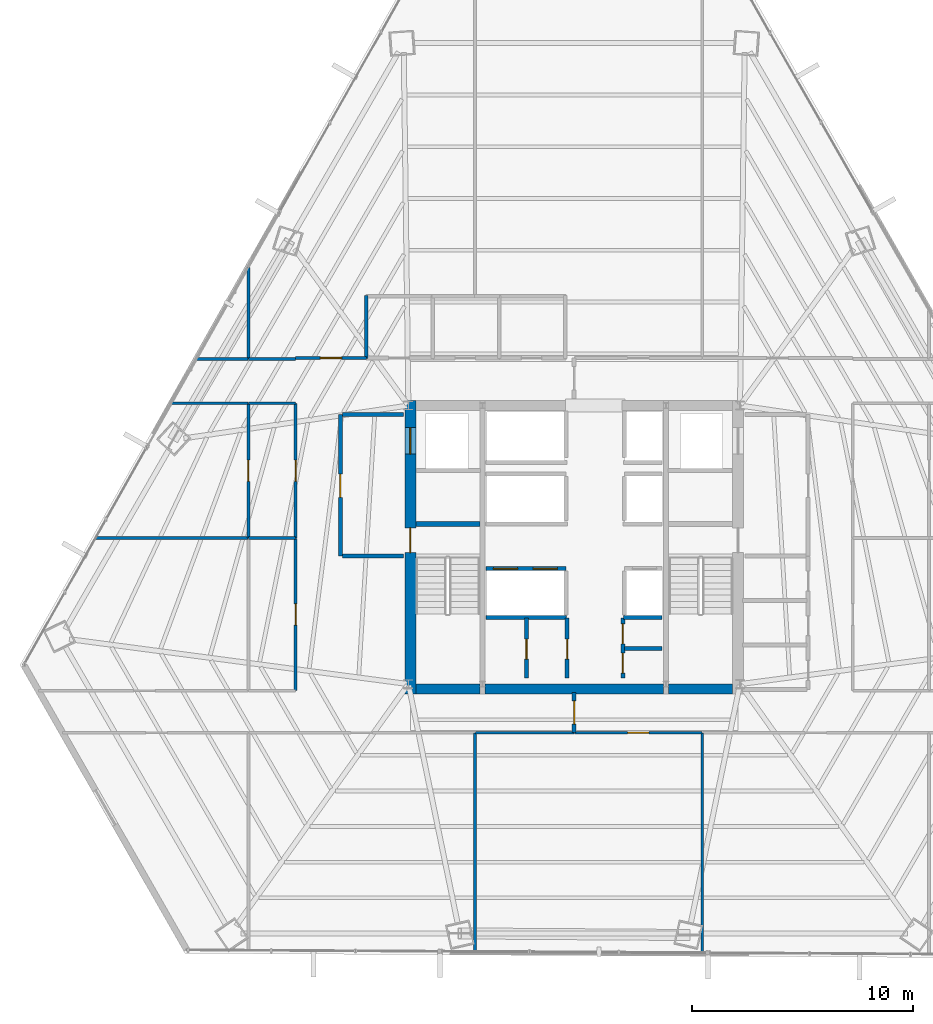
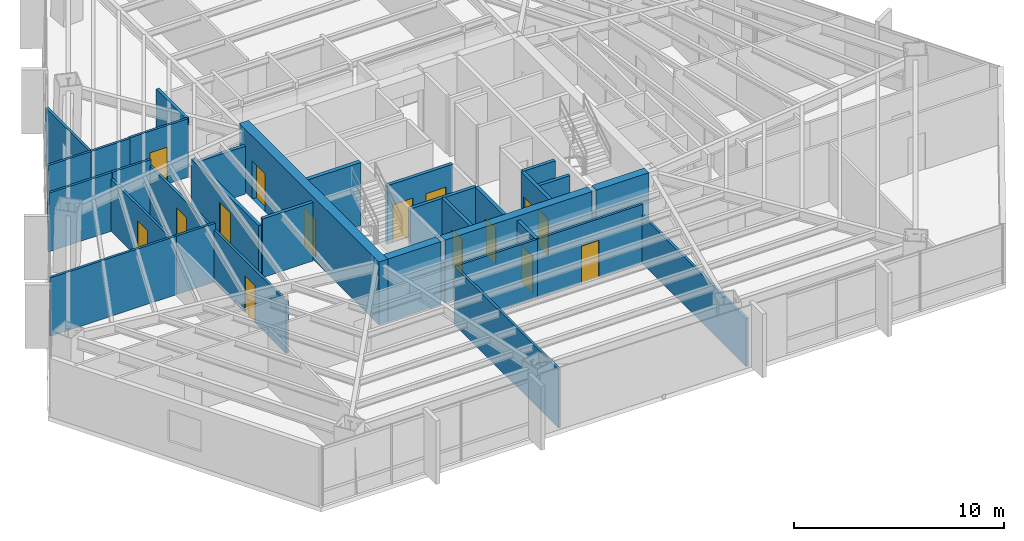
# One storey, part 30 of 35: 32 walls, 15 doors, 15 openings.
"""IFC4 building model written with IfcOpenShell, lengths in metres."""

from ifc_helpers import new_model, si_unit, direction, frame, frame_2d, origin, place, context, subcontext, project, spatial, rectangle, extrude, material, layer, layer_set, type_object, element, fill, save


model = new_model("IFC4")

# Units and contexts
model_context = context("Model", 3, precision=1e-05, world=origin(), true_north=direction((0.0, 1.0)))
body_context = subcontext(model_context, "Body", "Model", "MODEL_VIEW")
ifc_project = project(units=[si_unit("LENGTHUNIT", "METRE"), si_unit("AREAUNIT", "SQUARE_METRE"), si_unit("VOLUMEUNIT", "CUBIC_METRE"), si_unit("PLANEANGLEUNIT", "RADIAN"), si_unit("MASSUNIT", "GRAM", prefix="KILO")], contexts=[model_context])

# Site, building, storey
site_placement = place(None, origin())
site = spatial("IfcSite", under=ifc_project, at=site_placement, CompositionType="ELEMENT")
building_placement = place(site_placement, origin())
building = spatial("IfcBuilding", under=site, at=building_placement, Name="Caelisora Broadcast Tower", CompositionType="ELEMENT")
storey_placement = place(building_placement, frame((0.0, 0.0, 90.800048828125)))
storey = spatial("IfcBuildingStorey", under=building, at=storey_placement, Name="L23", CompositionType="ELEMENT", Elevation=90.800048828125)

# Wall, openings, doors
ifc_material_1 = material(Name="Concrete 50 MPa (AS 3600 S50)", Category="concrete")
ifc_layer_1 = layer(ifc_material_1, 0.5, Name="Concrete 50 MPa (AS 3600 S50)")
ifc_layer_set_1 = layer_set([ifc_layer_1], Name="Concrete 50 MPa (AS 3600 S50)")
wall_type_1 = type_object("IfcWallType", Name="CW2", PredefinedType="SHEAR", material=ifc_layer_set_1)
wall_1_placement = place(storey_placement, frame((30.590087890625, 16.949951171875, 0.0), z_axis=(0.0, 0.0, 1.0), x_axis=(0.0, 1.0, 0.0)))
wall_1 = element("IfcWall", 1, at=wall_1_placement, inside=storey, type_object=wall_type_1, Name="L23 core shear wall CW2", PredefinedType="SHEAR", context=body_context, shape_type="SweptSolid", body=[
    extrude(rectangle(XDim=13.275146484375, YDim=0.5, at=frame_2d((6.6376953125, 0.0))), origin(), (0.0, 0.0, 1.0), 3.64990234375),
])
opening_1_placement = place(wall_1_placement, frame((6.39990234375, 0.0, 0.0)))
opening_1 = element("IfcOpeningElement", 2, at=opening_1_placement, cuts=wall_1, Name="Opening FD04", PredefinedType="OPENING", context=body_context, shape_type="SweptSolid", body=[
    extrude(rectangle(XDim=1.1201171875, YDim=2.14990234375, at=frame_2d((0.56005859375, 1.074951171875))), frame((0.0, 0.261962890625, 0.0), z_axis=(0.0, -1.0, 0.0), x_axis=(1.0, 0.0, 0.0)), (0.0, 0.0, 1.0), 0.52392578125),
])
opening_2_placement = place(wall_1_placement, frame((10.85009765625, 0.0, 0.0)))
opening_2 = element("IfcOpeningElement", 3, at=opening_2_placement, cuts=wall_1, Name="Opening LD04", PredefinedType="OPENING", context=body_context, shape_type="SweptSolid", body=[
    extrude(rectangle(XDim=1.199951171875, YDim=2.199951171875, at=frame_2d((0.60009765625, 1.10009765625))), frame((0.0, 0.261962890625, 0.0), z_axis=(0.0, -1.0, 0.0), x_axis=(1.0, 0.0, 0.0)), (0.0, 0.0, 1.0), 0.52392578125),
])
ifc_material_2 = material(Name="Pressurised Fire-Isolated Stair Door", Category="steel")
door_type_1 = type_object("IfcDoorType", Name="FD04", OperationType="NOTDEFINED", PredefinedType="DOOR", material=ifc_material_2)
door_1_placement = place(opening_1_placement, origin())
door_1 = element("IfcDoor", 4, at=door_1_placement, inside=storey, type_object=door_type_1, Name="L23 door FD04 (L23-DR-ST1)", OperationType="SINGLE_SWING_LEFT", OverallHeight=2.14990234375, OverallWidth=1.1201171875, PredefinedType="DOOR", context=body_context, shape_type="SweptSolid", body=[
    extrude(rectangle(XDim=1.1201171875, YDim=2.14990234375, at=frame_2d((0.56005859375, 1.074951171875))), frame((0.0, 0.02490234375, 0.0), z_axis=(0.0, -1.0, 0.0), x_axis=(1.0, 0.0, 0.0)), (0.0, 0.0, 1.0), 0.050048828125),
])
fill(opening_1, door_1)
ifc_material_3 = material(Name="Emergency Firefighting Lift Sliding Landing Door", Category="steel")
door_type_2 = type_object("IfcDoorType", Name="LD04", OperationType="NOTDEFINED", PredefinedType="DOOR", material=ifc_material_3)
door_2_placement = place(opening_2_placement, origin())
door_2 = element("IfcDoor", 5, at=door_2_placement, inside=storey, type_object=door_type_2, Name="L23 door LD04 (L23-LD-FFL1)", OperationType="SLIDING_TO_LEFT", OverallHeight=2.199951171875, OverallWidth=1.199951171875, PredefinedType="DOOR", context=body_context, shape_type="SweptSolid", body=[
    extrude(rectangle(XDim=1.199951171875, YDim=2.199951171875, at=frame_2d((0.60009765625, 1.10009765625))), frame((0.0, 0.02490234375, 0.0), z_axis=(0.0, -1.0, 0.0), x_axis=(1.0, 0.0, 0.0)), (0.0, 0.0, 1.0), 0.050048828125),
])
fill(opening_2, door_2)

# Walls
ifc_layer_2 = layer(ifc_material_1, 0.449951171875, Name="Concrete 50 MPa (AS 3600 S50)")
ifc_layer_set_2 = layer_set([ifc_layer_2], Name="Concrete 50 MPa (AS 3600 S50)")
wall_type_2 = type_object("IfcWallType", Name="CW5", PredefinedType="SHEAR", material=ifc_layer_set_2)
wall_2_placement = place(storey_placement, frame((30.840087890625, 17.175048828125, 0.0), z_axis=(0.0, 0.0, 1.0), x_axis=(1.0, 0.0, 0.0)))
element("IfcWall", 6, at=wall_2_placement, inside=storey, type_object=wall_type_2, Name="L23 core shear wall CW5", PredefinedType="SHEAR", context=body_context, shape_type="SweptSolid", body=[
    extrude(rectangle(XDim=2.89990234375, YDim=0.449951171875, at=frame_2d((1.449951171875, 0.0))), origin(), (0.0, 0.0, 1.0), 3.64990234375),
])
wall_3_placement = place(storey_placement, frame((33.9599609375, 17.175048828125, 0.0), z_axis=(0.0, 0.0, 1.0), x_axis=(1.0, 0.0, 0.0)))
element("IfcWall", 7, at=wall_3_placement, inside=storey, type_object=wall_type_2, Name="L23 core shear wall CW5", PredefinedType="SHEAR", context=body_context, shape_type="SweptSolid", body=[
    extrude(rectangle(XDim=8.080078125, YDim=0.449951171875, at=frame_2d((4.0400390625, 0.0))), origin(), (0.0, 0.0, 1.0), 3.64990234375),
])
wall_4_placement = place(storey_placement, frame((42.260009765625, 17.175048828125, 0.0), z_axis=(0.0, 0.0, 1.0), x_axis=(1.0, 0.0, 0.0)))
element("IfcWall", 8, at=wall_4_placement, inside=storey, type_object=wall_type_2, Name="L23 core shear wall CW5", PredefinedType="SHEAR", context=body_context, shape_type="SweptSolid", body=[
    extrude(rectangle(XDim=2.89990234375, YDim=0.449951171875, at=frame_2d((1.449951171875, 0.0))), origin(), (0.0, 0.0, 1.0), 3.64990234375),
])
ifc_layer_3 = layer(ifc_material_1, 0.219970703125, Name="Concrete 50 MPa (AS 3600 S50)")
ifc_layer_set_3 = layer_set([ifc_layer_3], Name="Concrete 50 MPa (AS 3600 S50)")
wall_type_3 = type_object("IfcWallType", Name="CW7", PredefinedType="SHEAR", material=ifc_layer_set_3)
wall_5_placement = place(storey_placement, frame((30.840087890625, 24.639892578125, 0.0), z_axis=(0.0, 0.0, 1.0), x_axis=(1.0, 0.0, 0.0)))
element("IfcWall", 9, at=wall_5_placement, inside=storey, type_object=wall_type_3, Name="L23 core shear wall CW7", PredefinedType="SHEAR", context=body_context, shape_type="SweptSolid", body=[
    extrude(rectangle(XDim=2.89990234375, YDim=0.219970703125, at=frame_2d((1.449951171875, 0.0))), origin(), (0.0, 0.0, 1.0), 3.64990234375),
])

# Wall, openings, doors
ifc_material_4 = material(Name="Fire-Rated Gypsum Shaft and Compartment Wall", Category="gypsum")
ifc_layer_4 = layer(ifc_material_4, 0.179931640625, Name="Fire-Rated Gypsum Shaft and Compartment Wall")
ifc_layer_set_4 = layer_set([ifc_layer_4], Name="Fire-Rated Gypsum Shaft and Compartment Wall")
wall_type_4 = type_object("IfcWallType", Name="PW2", PredefinedType="PARTITIONING", material=ifc_layer_set_4)
wall_6_placement = place(storey_placement, frame((34.02001953125, 22.6201171875, 0.0), z_axis=(0.0, 0.0, 1.0), x_axis=(1.0, 0.0, 0.0)))
wall_6 = element("IfcWall", 10, at=wall_6_placement, inside=storey, type_object=wall_type_4, Name="L23 fire compartment wall PW2", PredefinedType="PARTITIONING", context=body_context, shape_type="SweptSolid", body=[
    extrude(rectangle(XDim=3.60009765625, YDim=0.179931640625, at=frame_2d((1.800048828125, 0.0))), origin(), (0.0, 0.0, 1.0), 3.39990234375),
])
opening_3_placement = place(wall_6_placement, frame((0.320068359375, 0.0, 0.0)))
opening_3 = element("IfcOpeningElement", 11, at=opening_3_placement, cuts=wall_6, Name="Opening LD01", PredefinedType="OPENING", context=body_context, shape_type="SweptSolid", body=[
    extrude(rectangle(XDim=1.10009765625, YDim=2.199951171875, at=frame_2d((0.550048828125, 1.10009765625))), frame((0.0, 0.10205078125, 0.0), z_axis=(0.0, -1.0, 0.0), x_axis=(1.0, 0.0, 0.0)), (0.0, 0.0, 1.0), 0.203857421875),
])
opening_4_placement = place(wall_6_placement, frame((2.1201171875, 0.0, 0.0)))
opening_4 = element("IfcOpeningElement", 12, at=opening_4_placement, cuts=wall_6, Name="Opening LD01", PredefinedType="OPENING", context=body_context, shape_type="SweptSolid", body=[
    extrude(rectangle(XDim=1.10009765625, YDim=2.199951171875, at=frame_2d((0.550048828125, 1.10009765625))), frame((0.0, 0.10205078125, 0.0), z_axis=(0.0, -1.0, 0.0), x_axis=(1.0, 0.0, 0.0)), (0.0, 0.0, 1.0), 0.203857421875),
])
ifc_material_5 = material(Name="Stainless Steel Centre-Parting Lift Landing Door", Category="steel")
door_type_3 = type_object("IfcDoorType", Name="LD01", OperationType="NOTDEFINED", PredefinedType="DOOR", material=ifc_material_5)
door_3_placement = place(opening_3_placement, origin())
door_3 = element("IfcDoor", 13, at=door_3_placement, inside=storey, type_object=door_type_3, Name="L23 door LD01 (L23-LD-PLL1)", OperationType="SLIDING_TO_LEFT", OverallHeight=2.199951171875, OverallWidth=1.10009765625, PredefinedType="DOOR", context=body_context, shape_type="SweptSolid", body=[
    extrude(rectangle(XDim=1.10009765625, YDim=2.199951171875, at=frame_2d((0.550048828125, 1.10009765625))), frame((0.0, 0.02490234375, 0.0), z_axis=(0.0, -1.0, 0.0), x_axis=(1.0, 0.0, 0.0)), (0.0, 0.0, 1.0), 0.050048828125),
])
fill(opening_3, door_3)
door_4_placement = place(opening_4_placement, origin())
door_4 = element("IfcDoor", 14, at=door_4_placement, inside=storey, type_object=door_type_3, Name="L23 door LD01 (L23-LD-PLL2)", OperationType="SLIDING_TO_RIGHT", OverallHeight=2.199951171875, OverallWidth=1.10009765625, PredefinedType="DOOR", context=body_context, shape_type="SweptSolid", body=[
    extrude(rectangle(XDim=1.10009765625, YDim=2.199951171875, at=frame_2d((0.550048828125, 1.10009765625))), frame((0.0, 0.02490234375, 0.0), z_axis=(0.0, -1.0, 0.0), x_axis=(1.0, 0.0, 0.0)), (0.0, 0.0, 1.0), 0.050048828125),
])
fill(opening_4, door_4)

# Wall, opening, door
wall_7_placement = place(storey_placement, frame((27.419921875, 23.199951171875, 0.0), z_axis=(0.0, 0.0, 1.0), x_axis=(0.0, 1.0, 0.0)))
wall_7 = element("IfcWall", 15, at=wall_7_placement, inside=storey, type_object=wall_type_4, Name="L23 fire compartment wall PW2", PredefinedType="PARTITIONING", context=body_context, shape_type="SweptSolid", body=[
    extrude(rectangle(XDim=6.400146484375, YDim=0.179931640625, at=frame_2d((3.2001953125, 0.0))), origin(), (0.0, 0.0, 1.0), 3.0263671875),
])
opening_5_placement = place(wall_7_placement, frame((2.64990234375, 0.0, 0.0)))
opening_5 = element("IfcOpeningElement", 16, at=opening_5_placement, cuts=wall_7, Name="Opening FD02", PredefinedType="OPENING", context=body_context, shape_type="SweptSolid", body=[
    extrude(rectangle(XDim=1.050048828125, YDim=2.14990234375, at=frame_2d((0.52490234375, 1.074951171875))), frame((0.0, 0.10205078125, 0.0), z_axis=(0.0, -1.0, 0.0), x_axis=(1.0, 0.0, 0.0)), (0.0, 0.0, 1.0), 0.203857421875),
])
ifc_material_6 = material(Name="Single-Leaf Steel Fire Lobby Door", Category="steel")
door_type_4 = type_object("IfcDoorType", Name="FD02", OperationType="NOTDEFINED", PredefinedType="DOOR", material=ifc_material_6)
door_5_placement = place(opening_5_placement, origin())
door_5 = element("IfcDoor", 17, at=door_5_placement, inside=storey, type_object=door_type_4, Name="L23 door FD02 (L23-DR-P01D1)", OperationType="SINGLE_SWING_RIGHT", OverallHeight=2.14990234375, OverallWidth=1.050048828125, PredefinedType="DOOR", context=body_context, shape_type="SweptSolid", body=[
    extrude(rectangle(XDim=1.050048828125, YDim=2.14990234375, at=frame_2d((0.52490234375, 1.074951171875))), frame((0.0, 0.02490234375, 0.0), z_axis=(0.0, -1.0, 0.0), x_axis=(1.0, 0.0, 0.0)), (0.0, 0.0, 1.0), 0.050048828125),
])
fill(opening_5, door_5)

# Walls
wall_8_placement = place(storey_placement, frame((27.52001953125, 23.199951171875, 0.0), z_axis=(0.0, 0.0, 1.0), x_axis=(1.0, 0.0, 0.0)))
element("IfcWall", 18, at=wall_8_placement, inside=storey, type_object=wall_type_4, Name="L23 fire compartment wall PW2", PredefinedType="PARTITIONING", context=body_context, shape_type="SweptSolid", body=[
    extrude(rectangle(XDim=2.760009765625, YDim=0.179931640625, at=frame_2d((1.3798828125, 0.0))), origin(), (0.0, 0.0, 1.0), 3.39990234375),
])
wall_9_placement = place(storey_placement, frame((27.52001953125, 29.60009765625, 0.0), z_axis=(0.0, 0.0, 1.0), x_axis=(1.0, 0.0, 0.0)))
element("IfcWall", 19, at=wall_9_placement, inside=storey, type_object=wall_type_4, Name="L23 fire compartment wall PW2", PredefinedType="PARTITIONING", context=body_context, shape_type="SweptSolid", body=[
    extrude(rectangle(XDim=2.760009765625, YDim=0.179931640625, at=frame_2d((1.3798828125, 0.0))), origin(), (0.0, 0.0, 1.0), 2.78271484375),
])
wall_10_placement = place(storey_placement, frame((34.02001953125, 20.419921875, 0.0), z_axis=(0.0, 0.0, 1.0), x_axis=(1.0, 0.0, 0.0)))
element("IfcWall", 20, at=wall_10_placement, inside=storey, type_object=wall_type_4, Name="L23 fire compartment wall PW2", PredefinedType="PARTITIONING", context=body_context, shape_type="SweptSolid", body=[
    extrude(rectangle(XDim=3.639892578125, YDim=0.179931640625, at=frame_2d((1.81982421875, 0.0))), origin(), (0.0, 0.0, 1.0), 3.39990234375),
])
wall_11_placement = place(storey_placement, frame((40.219970703125, 20.419921875, 0.0), z_axis=(0.0, 0.0, 1.0), x_axis=(1.0, 0.0, 0.0)))
element("IfcWall", 21, at=wall_11_placement, inside=storey, type_object=wall_type_4, Name="L23 fire compartment wall PW2", PredefinedType="PARTITIONING", context=body_context, shape_type="SweptSolid", body=[
    extrude(rectangle(XDim=1.760009765625, YDim=0.179931640625, at=frame_2d((0.8798828125, 0.0))), origin(), (0.0, 0.0, 1.0), 3.39990234375),
])

# Wall, opening, door
wall_12_placement = place(storey_placement, frame((35.840087890625, 17.679931640625, 0.0), z_axis=(0.0, 0.0, 1.0), x_axis=(0.0, 1.0, 0.0)))
wall_12 = element("IfcWall", 22, at=wall_12_placement, inside=storey, type_object=wall_type_4, Name="L23 fire compartment wall PW2", PredefinedType="PARTITIONING", context=body_context, shape_type="SweptSolid", body=[
    extrude(rectangle(XDim=2.699951171875, YDim=0.179931640625, at=frame_2d((1.35009765625, 0.0))), origin(), (0.0, 0.0, 1.0), 3.39990234375),
])
opening_6_placement = place(wall_12_placement, frame((0.85009765625, 0.0, 0.0)))
opening_6 = element("IfcOpeningElement", 23, at=opening_6_placement, cuts=wall_12, Name="Opening FD03", PredefinedType="OPENING", context=body_context, shape_type="SweptSolid", body=[
    extrude(rectangle(XDim=0.89990234375, YDim=2.10009765625, at=frame_2d((0.449951171875, 1.050048828125))), frame((0.0, 0.10205078125, 0.0), z_axis=(0.0, -1.0, 0.0), x_axis=(1.0, 0.0, 0.0)), (0.0, 0.0, 1.0), 0.203857421875),
])
ifc_material_7 = material(Name="Single-Leaf Steel Riser Fire Access Door", Category="steel")
door_type_5 = type_object("IfcDoorType", Name="FD03", OperationType="NOTDEFINED", PredefinedType="DOOR", material=ifc_material_7)
door_6_placement = place(opening_6_placement, origin())
door_6 = element("IfcDoor", 24, at=door_6_placement, inside=storey, type_object=door_type_5, Name="L23 door FD03 (L23-DR-P11D1)", OperationType="SINGLE_SWING_RIGHT", OverallHeight=2.10009765625, OverallWidth=0.89990234375, PredefinedType="DOOR", context=body_context, shape_type="SweptSolid", body=[
    extrude(rectangle(XDim=0.89990234375, YDim=2.10009765625, at=frame_2d((0.449951171875, 1.050048828125))), frame((0.0, 0.02490234375, 0.0), z_axis=(0.0, -1.0, 0.0), x_axis=(1.0, 0.0, 0.0)), (0.0, 0.0, 1.0), 0.050048828125),
])
fill(opening_6, door_6)

wall_13_placement = place(storey_placement, frame((37.679931640625, 17.679931640625, 0.0), z_axis=(0.0, 0.0, 1.0), x_axis=(0.0, 1.0, 0.0)))
wall_13 = element("IfcWall", 25, at=wall_13_placement, inside=storey, type_object=wall_type_4, Name="L23 fire compartment wall PW2", PredefinedType="PARTITIONING", context=body_context, shape_type="SweptSolid", body=[
    extrude(rectangle(XDim=2.699951171875, YDim=0.179931640625, at=frame_2d((1.35009765625, 0.0))), origin(), (0.0, 0.0, 1.0), 3.39990234375),
])
opening_7_placement = place(wall_13_placement, frame((0.85009765625, 0.0, 0.0)))
opening_7 = element("IfcOpeningElement", 26, at=opening_7_placement, cuts=wall_13, Name="Opening FD03", PredefinedType="OPENING", context=body_context, shape_type="SweptSolid", body=[
    extrude(rectangle(XDim=0.89990234375, YDim=2.10009765625, at=frame_2d((0.449951171875, 1.050048828125))), frame((0.0, 0.10205078125, 0.0), z_axis=(0.0, -1.0, 0.0), x_axis=(1.0, 0.0, 0.0)), (0.0, 0.0, 1.0), 0.203857421875),
])
door_7_placement = place(opening_7_placement, origin())
door_7 = element("IfcDoor", 27, at=door_7_placement, inside=storey, type_object=door_type_5, Name="L23 door FD03 (L23-DR-P12D1)", OperationType="SINGLE_SWING_LEFT", OverallHeight=2.10009765625, OverallWidth=0.89990234375, PredefinedType="DOOR", context=body_context, shape_type="SweptSolid", body=[
    extrude(rectangle(XDim=0.89990234375, YDim=2.10009765625, at=frame_2d((0.449951171875, 1.050048828125))), frame((0.0, 0.02490234375, 0.0), z_axis=(0.0, -1.0, 0.0), x_axis=(1.0, 0.0, 0.0)), (0.0, 0.0, 1.0), 0.050048828125),
])
fill(opening_7, door_7)

# Wall
wall_14_placement = place(storey_placement, frame((40.280029296875, 19.02001953125, 0.0), z_axis=(0.0, 0.0, 1.0), x_axis=(1.0, 0.0, 0.0)))
element("IfcWall", 28, at=wall_14_placement, inside=storey, type_object=wall_type_4, Name="L23 fire compartment wall PW2", PredefinedType="PARTITIONING", context=body_context, shape_type="SweptSolid", body=[
    extrude(rectangle(XDim=1.699951171875, YDim=0.179931640625, at=frame_2d((0.85009765625, 0.0))), origin(), (0.0, 0.0, 1.0), 3.39990234375),
])

# Wall, openings, doors
wall_15_placement = place(storey_placement, frame((40.199951171875, 17.679931640625, 0.0), z_axis=(0.0, 0.0, 1.0), x_axis=(0.0, 1.0, 0.0)))
wall_15 = element("IfcWall", 29, at=wall_15_placement, inside=storey, type_object=wall_type_4, Name="L23 fire compartment wall PW2", PredefinedType="PARTITIONING", context=body_context, shape_type="SweptSolid", body=[
    extrude(rectangle(XDim=2.699951171875, YDim=0.179931640625, at=frame_2d((1.35009765625, 0.0))), origin(), (0.0, 0.0, 1.0), 3.39990234375),
])
opening_8_placement = place(wall_15_placement, frame((0.219970703125, 0.0, 0.0)))
opening_8 = element("IfcOpeningElement", 30, at=opening_8_placement, cuts=wall_15, Name="Opening FD03", PredefinedType="OPENING", context=body_context, shape_type="SweptSolid", body=[
    extrude(rectangle(XDim=0.89990234375, YDim=2.10009765625, at=frame_2d((0.449951171875, 1.050048828125))), frame((0.0, 0.10205078125, 0.0), z_axis=(0.0, -1.0, 0.0), x_axis=(1.0, 0.0, 0.0)), (0.0, 0.0, 1.0), 0.203857421875),
])
opening_9_placement = place(wall_15_placement, frame((1.5400390625, 0.0, 0.0)))
opening_9 = element("IfcOpeningElement", 31, at=opening_9_placement, cuts=wall_15, Name="Opening FD03", PredefinedType="OPENING", context=body_context, shape_type="SweptSolid", body=[
    extrude(rectangle(XDim=0.89990234375, YDim=2.10009765625, at=frame_2d((0.449951171875, 1.050048828125))), frame((0.0, 0.10205078125, 0.0), z_axis=(0.0, -1.0, 0.0), x_axis=(1.0, 0.0, 0.0)), (0.0, 0.0, 1.0), 0.203857421875),
])
door_8_placement = place(opening_8_placement, origin())
door_8 = element("IfcDoor", 32, at=door_8_placement, inside=storey, type_object=door_type_5, Name="L23 door FD03 (L23-DR-P14D1)", OperationType="SINGLE_SWING_RIGHT", OverallHeight=2.10009765625, OverallWidth=0.89990234375, PredefinedType="DOOR", context=body_context, shape_type="SweptSolid", body=[
    extrude(rectangle(XDim=0.89990234375, YDim=2.10009765625, at=frame_2d((0.449951171875, 1.050048828125))), frame((0.0, 0.02490234375, 0.0), z_axis=(0.0, -1.0, 0.0), x_axis=(1.0, 0.0, 0.0)), (0.0, 0.0, 1.0), 0.050048828125),
])
fill(opening_8, door_8)
door_9_placement = place(opening_9_placement, origin())
door_9 = element("IfcDoor", 33, at=door_9_placement, inside=storey, type_object=door_type_5, Name="L23 door FD03 (L23-DR-P14D2)", OperationType="SINGLE_SWING_LEFT", OverallHeight=2.10009765625, OverallWidth=0.89990234375, PredefinedType="DOOR", context=body_context, shape_type="SweptSolid", body=[
    extrude(rectangle(XDim=0.89990234375, YDim=2.10009765625, at=frame_2d((0.449951171875, 1.050048828125))), frame((0.0, 0.02490234375, 0.0), z_axis=(0.0, -1.0, 0.0), x_axis=(1.0, 0.0, 0.0)), (0.0, 0.0, 1.0), 0.050048828125),
])
fill(opening_9, door_9)

# Wall, opening, door
wall_16_placement = place(storey_placement, frame((38.0, 15.205078125, 0.0), z_axis=(0.0, 0.0, 1.0), x_axis=(0.0, 1.0, 0.0)))
wall_16 = element("IfcWall", 34, at=wall_16_placement, inside=storey, type_object=wall_type_4, Name="L23 fire compartment wall PW2", PredefinedType="PARTITIONING", context=body_context, shape_type="SweptSolid", body=[
    extrude(rectangle(XDim=1.81982421875, YDim=0.179931640625, at=frame_2d((0.909912109375, 0.0))), origin(), (0.0, 0.0, 1.0), 3.39990234375),
])
opening_10_placement = place(wall_16_placement, frame((0.385009765625, 0.0, 0.0)))
opening_10 = element("IfcOpeningElement", 35, at=opening_10_placement, cuts=wall_16, Name="Opening FD02", PredefinedType="OPENING", context=body_context, shape_type="SweptSolid", body=[
    extrude(rectangle(XDim=1.050048828125, YDim=2.14990234375, at=frame_2d((0.52490234375, 1.074951171875))), frame((0.0, 0.10205078125, 0.0), z_axis=(0.0, -1.0, 0.0), x_axis=(1.0, 0.0, 0.0)), (0.0, 0.0, 1.0), 0.203857421875),
])
door_10_placement = place(opening_10_placement, origin())
door_10 = element("IfcDoor", 36, at=door_10_placement, inside=storey, type_object=door_type_4, Name="L23 door FD02 (L23-DR-P70D1)", OperationType="SINGLE_SWING_RIGHT", OverallHeight=2.14990234375, OverallWidth=1.050048828125, PredefinedType="DOOR", context=body_context, shape_type="SweptSolid", body=[
    extrude(rectangle(XDim=1.050048828125, YDim=2.14990234375, at=frame_2d((0.52490234375, 1.074951171875))), frame((0.0, 0.02490234375, 0.0), z_axis=(0.0, -1.0, 0.0), x_axis=(1.0, 0.0, 0.0)), (0.0, 0.0, 1.0), 0.050048828125),
])
fill(opening_10, door_10)

# Walls
ifc_material_8 = material(Name="Acoustic Steel-Stud Plasterboard Partition", Category="gypsum")
ifc_layer_5 = layer(ifc_material_8, 0.1298828125, Name="Acoustic Steel-Stud Plasterboard Partition")
ifc_layer_set_5 = layer_set([ifc_layer_5], Name="Acoustic Steel-Stud Plasterboard Partition")
wall_type_5 = type_object("IfcWallType", Name="PW3", PredefinedType="PARTITIONING", material=ifc_layer_set_5)
wall_17_placement = place(storey_placement, frame((43.7900390625, 5.23681640625, 0.0), z_axis=(0.0, 0.0, 1.0), x_axis=(0.0, 1.0, 0.0)))
element("IfcWall", 37, at=wall_17_placement, inside=storey, type_object=wall_type_5, Name="L23 internal partition PW3", PredefinedType="PARTITIONING", context=body_context, shape_type="SweptSolid", body=[
    extrude(rectangle(XDim=9.958251953125, YDim=0.1298828125, at=frame_2d((4.97900390625, 0.0))), origin(), (0.0, 0.0, 1.0), 2.78271484375),
])
wall_18_placement = place(storey_placement, frame((33.52001953125, 5.29345703125, 0.0), z_axis=(0.0, 0.0, 1.0), x_axis=(0.0, 1.0, 0.0)))
element("IfcWall", 38, at=wall_18_placement, inside=storey, type_object=wall_type_5, Name="L23 internal partition PW3", PredefinedType="PARTITIONING", context=body_context, shape_type="SweptSolid", body=[
    extrude(rectangle(XDim=9.901611328125, YDim=0.1298828125, at=frame_2d((4.95068359375, 0.0))), origin(), (0.0, 0.0, 1.0), 3.39990234375),
])
wall_19_placement = place(storey_placement, frame((16.3408203125, 24.0, 0.0), z_axis=(0.0, 0.0, 1.0), x_axis=(1.0, 0.0, 0.0)))
element("IfcWall", 39, at=wall_19_placement, inside=storey, type_object=wall_type_5, Name="L23 internal partition PW3", PredefinedType="PARTITIONING", context=body_context, shape_type="SweptSolid", body=[
    extrude(rectangle(XDim=6.9140625, YDim=0.1298828125, at=frame_2d((3.45703125, 0.0))), origin(), (0.0, 0.0, 1.0), 3.39990234375),
])

# Wall, opening, door
wall_20_placement = place(storey_placement, frame((25.39990234375, 17.10498046875, 0.0), z_axis=(0.0, 0.0, 1.0), x_axis=(0.0, 1.0, 0.0)))
wall_20 = element("IfcWall", 40, at=wall_20_placement, inside=storey, type_object=wall_type_5, Name="L23 internal partition PW3", PredefinedType="PARTITIONING", context=body_context, shape_type="SweptSolid", body=[
    extrude(rectangle(XDim=6.89013671875, YDim=0.1298828125, at=frame_2d((3.445068359375, 0.0))), origin(), (0.0, 0.0, 1.0), 3.0263671875),
])
opening_11_placement = place(wall_20_placement, frame((2.965087890625, 0.0, 0.0)))
opening_11 = element("IfcOpeningElement", 41, at=opening_11_placement, cuts=wall_20, Name="Opening D01", PredefinedType="OPENING", context=body_context, shape_type="SweptSolid", body=[
    extrude(rectangle(XDim=0.9599609375, YDim=2.14990234375, at=frame_2d((0.47998046875, 1.074951171875))), frame((0.0, 0.076904296875, 0.0), z_axis=(0.0, -1.0, 0.0), x_axis=(1.0, 0.0, 0.0)), (0.0, 0.0, 1.0), 0.15380859375),
])
ifc_material_9 = material(Name="Solid-Core Timber Acoustic Office Door", Category="wood")
door_type_6 = type_object("IfcDoorType", Name="D01", OperationType="NOTDEFINED", PredefinedType="DOOR", material=ifc_material_9)
door_11_placement = place(opening_11_placement, origin())
door_11 = element("IfcDoor", 42, at=door_11_placement, inside=storey, type_object=door_type_6, Name="L23 door D01 (L23-DR-P43D1)", OperationType="SINGLE_SWING_RIGHT", OverallHeight=2.14990234375, OverallWidth=0.9599609375, PredefinedType="DOOR", context=body_context, shape_type="SweptSolid", body=[
    extrude(rectangle(XDim=0.9599609375, YDim=2.14990234375, at=frame_2d((0.47998046875, 1.074951171875))), frame((0.0, 0.02490234375, 0.0), z_axis=(0.0, -1.0, 0.0), x_axis=(1.0, 0.0, 0.0)), (0.0, 0.0, 1.0), 0.050048828125),
])
fill(opening_11, door_11)

wall_21_placement = place(storey_placement, frame((25.39990234375, 24.0048828125, 0.0), z_axis=(0.0, 0.0, 1.0), x_axis=(0.0, 1.0, 0.0)))
wall_21 = element("IfcWall", 43, at=wall_21_placement, inside=storey, type_object=wall_type_5, Name="L23 internal partition PW3", PredefinedType="PARTITIONING", context=body_context, shape_type="SweptSolid", body=[
    extrude(rectangle(XDim=6.090087890625, YDim=0.1298828125, at=frame_2d((3.044921875, 0.0))), origin(), (0.0, 0.0, 1.0), 3.0263671875),
])
opening_12_placement = place(wall_21_placement, frame((2.56494140625, 0.0, 0.0)))
opening_12 = element("IfcOpeningElement", 44, at=opening_12_placement, cuts=wall_21, Name="Opening D01", PredefinedType="OPENING", context=body_context, shape_type="SweptSolid", body=[
    extrude(rectangle(XDim=0.9599609375, YDim=2.14990234375, at=frame_2d((0.47998046875, 1.074951171875))), frame((0.0, 0.076904296875, 0.0), z_axis=(0.0, -1.0, 0.0), x_axis=(1.0, 0.0, 0.0)), (0.0, 0.0, 1.0), 0.15380859375),
])
door_12_placement = place(opening_12_placement, origin())
door_12 = element("IfcDoor", 45, at=door_12_placement, inside=storey, type_object=door_type_6, Name="L23 door D01 (L23-DR-P48D1)", OperationType="SINGLE_SWING_LEFT", OverallHeight=2.14990234375, OverallWidth=0.9599609375, PredefinedType="DOOR", context=body_context, shape_type="SweptSolid", body=[
    extrude(rectangle(XDim=0.9599609375, YDim=2.14990234375, at=frame_2d((0.47998046875, 1.074951171875))), frame((0.0, 0.02490234375, 0.0), z_axis=(0.0, -1.0, 0.0), x_axis=(1.0, 0.0, 0.0)), (0.0, 0.0, 1.0), 0.050048828125),
])
fill(opening_12, door_12)

wall_22_placement = place(storey_placement, frame((23.260009765625, 24.0048828125, 0.0), z_axis=(0.0, 0.0, 1.0), x_axis=(0.0, 1.0, 0.0)))
wall_22 = element("IfcWall", 46, at=wall_22_placement, inside=storey, type_object=wall_type_5, Name="L23 internal partition PW3", PredefinedType="PARTITIONING", context=body_context, shape_type="SweptSolid", body=[
    extrude(rectangle(XDim=6.090087890625, YDim=0.1298828125, at=frame_2d((3.044921875, 0.0))), origin(), (0.0, 0.0, 1.0), 3.0263671875),
])
opening_13_placement = place(wall_22_placement, frame((2.56494140625, 0.0, 0.0)))
opening_13 = element("IfcOpeningElement", 47, at=opening_13_placement, cuts=wall_22, Name="Opening D01", PredefinedType="OPENING", context=body_context, shape_type="SweptSolid", body=[
    extrude(rectangle(XDim=0.9599609375, YDim=2.14990234375, at=frame_2d((0.47998046875, 1.074951171875))), frame((0.0, 0.076904296875, 0.0), z_axis=(0.0, -1.0, 0.0), x_axis=(1.0, 0.0, 0.0)), (0.0, 0.0, 1.0), 0.15380859375),
])
door_13_placement = place(opening_13_placement, origin())
door_13 = element("IfcDoor", 48, at=door_13_placement, inside=storey, type_object=door_type_6, Name="L23 door D01 (L23-DR-P51D1)", OperationType="SINGLE_SWING_RIGHT", OverallHeight=2.14990234375, OverallWidth=0.9599609375, PredefinedType="DOOR", context=body_context, shape_type="SweptSolid", body=[
    extrude(rectangle(XDim=0.9599609375, YDim=2.14990234375, at=frame_2d((0.47998046875, 1.074951171875))), frame((0.0, 0.02490234375, 0.0), z_axis=(0.0, -1.0, 0.0), x_axis=(1.0, 0.0, 0.0)), (0.0, 0.0, 1.0), 0.050048828125),
])
fill(opening_13, door_13)

wall_23_placement = place(storey_placement, frame((38.0048828125, 15.199951171875, 0.0), z_axis=(0.0, 0.0, 1.0), x_axis=(1.0, 0.0, 0.0)))
wall_23 = element("IfcWall", 49, at=wall_23_placement, inside=storey, type_object=wall_type_5, Name="L23 internal partition PW3", PredefinedType="PARTITIONING", context=body_context, shape_type="SweptSolid", body=[
    extrude(rectangle(XDim=5.780029296875, YDim=0.1298828125, at=frame_2d((2.89013671875, 0.0))), origin(), (0.0, 0.0, 1.0), 3.39990234375),
])
opening_14_placement = place(wall_23_placement, frame((2.409912109375, 0.0, 0.0)))
opening_14 = element("IfcOpeningElement", 50, at=opening_14_placement, cuts=wall_23, Name="Opening D01", PredefinedType="OPENING", context=body_context, shape_type="SweptSolid", body=[
    extrude(rectangle(XDim=0.9599609375, YDim=2.14990234375, at=frame_2d((0.47998046875, 1.074951171875))), frame((0.0, 0.076904296875, 0.0), z_axis=(0.0, -1.0, 0.0), x_axis=(1.0, 0.0, 0.0)), (0.0, 0.0, 1.0), 0.15380859375),
])
door_14_placement = place(opening_14_placement, origin())
door_14 = element("IfcDoor", 51, at=door_14_placement, inside=storey, type_object=door_type_6, Name="L23 door D01 (L23-DR-P54D1)", OperationType="SINGLE_SWING_RIGHT", OverallHeight=2.14990234375, OverallWidth=0.9599609375, PredefinedType="DOOR", context=body_context, shape_type="SweptSolid", body=[
    extrude(rectangle(XDim=0.9599609375, YDim=2.14990234375, at=frame_2d((0.47998046875, 1.074951171875))), frame((0.0, 0.02490234375, 0.0), z_axis=(0.0, -1.0, 0.0), x_axis=(1.0, 0.0, 0.0)), (0.0, 0.0, 1.0), 0.050048828125),
])
fill(opening_14, door_14)

# Walls
wall_24_placement = place(storey_placement, frame((33.52490234375, 15.199951171875, 0.0), z_axis=(0.0, 0.0, 1.0), x_axis=(1.0, 0.0, 0.0)))
element("IfcWall", 52, at=wall_24_placement, inside=storey, type_object=wall_type_5, Name="L23 internal partition PW3", PredefinedType="PARTITIONING", context=body_context, shape_type="SweptSolid", body=[
    extrude(rectangle(XDim=4.47021484375, YDim=0.1298828125, at=frame_2d((2.235107421875, 0.0))), origin(), (0.0, 0.0, 1.0), 3.39990234375),
])
wall_25_placement = place(storey_placement, frame((23.260009765625, 32.10498046875, 0.0), z_axis=(0.0, 0.0, 1.0), x_axis=(0.0, 1.0, 0.0)))
element("IfcWall", 53, at=wall_25_placement, inside=storey, type_object=wall_type_5, Name="L23 internal partition PW3", PredefinedType="PARTITIONING", context=body_context, shape_type="SweptSolid", body=[
    extrude(rectangle(XDim=4.146240234375, YDim=0.1298828125, at=frame_2d((2.0732421875, 0.0))), origin(), (0.0, 0.0, 1.0), 3.39990234375),
])
wall_26_placement = place(storey_placement, frame((19.785888671875, 30.10009765625, 0.0), z_axis=(0.0, 0.0, 1.0), x_axis=(1.0, 0.0, 0.0)))
element("IfcWall", 54, at=wall_26_placement, inside=storey, type_object=wall_type_5, Name="L23 internal partition PW3", PredefinedType="PARTITIONING", context=body_context, shape_type="SweptSolid", body=[
    extrude(rectangle(XDim=3.468994140625, YDim=0.1298828125, at=frame_2d((1.734375, 0.0))), origin(), (0.0, 0.0, 1.0), 3.39990234375),
])

# Wall, opening, door
wall_27_placement = place(storey_placement, frame((25.405029296875, 32.14990234375, 0.0), z_axis=(0.0, 0.0, 1.0), x_axis=(1.0, 0.0, 0.0)))
wall_27 = element("IfcWall", 55, at=wall_27_placement, inside=storey, type_object=wall_type_5, Name="L23 internal partition PW3", PredefinedType="PARTITIONING", context=body_context, shape_type="SweptSolid", body=[
    extrude(rectangle(XDim=3.18994140625, YDim=0.1298828125, at=frame_2d((1.594970703125, 0.0))), origin(), (0.0, 0.0, 1.0), 3.39990234375),
])
opening_15_placement = place(wall_27_placement, frame((1.114990234375, 0.0, 0.0)))
opening_15 = element("IfcOpeningElement", 56, at=opening_15_placement, cuts=wall_27, Name="Opening D01", PredefinedType="OPENING", context=body_context, shape_type="SweptSolid", body=[
    extrude(rectangle(XDim=0.9599609375, YDim=2.14990234375, at=frame_2d((0.47998046875, 1.074951171875))), frame((0.0, 0.076904296875, 0.0), z_axis=(0.0, -1.0, 0.0), x_axis=(1.0, 0.0, 0.0)), (0.0, 0.0, 1.0), 0.15380859375),
])
door_15_placement = place(opening_15_placement, origin())
door_15 = element("IfcDoor", 57, at=door_15_placement, inside=storey, type_object=door_type_6, Name="L23 door D01 (L23-DR-P62D1)", OperationType="SINGLE_SWING_LEFT", OverallHeight=2.14990234375, OverallWidth=0.9599609375, PredefinedType="DOOR", context=body_context, shape_type="SweptSolid", body=[
    extrude(rectangle(XDim=0.9599609375, YDim=2.14990234375, at=frame_2d((0.47998046875, 1.074951171875))), frame((0.0, 0.02490234375, 0.0), z_axis=(0.0, -1.0, 0.0), x_axis=(1.0, 0.0, 0.0)), (0.0, 0.0, 1.0), 0.050048828125),
])
fill(opening_15, door_15)

# Walls
wall_28_placement = place(storey_placement, frame((20.91552734375, 32.10009765625, 0.0), z_axis=(0.0, 0.0, 1.0), x_axis=(1.0, 0.0, 0.0)))
element("IfcWall", 58, at=wall_28_placement, inside=storey, type_object=wall_type_5, Name="L23 internal partition PW3", PredefinedType="PARTITIONING", context=body_context, shape_type="SweptSolid", body=[
    extrude(rectangle(XDim=2.33935546875, YDim=0.1298828125, at=frame_2d((1.169677734375, 0.0))), origin(), (0.0, 0.0, 1.0), 3.39990234375),
])
for number, where, z_axis, x_axis, name in (
    (59, (25.39501953125, 30.10009765625, 0.0), (0.0, 0.0, 1.0), (-1.0, 0.0, 0.0), "L23 internal partition PW3"),
    (60, (23.264892578125, 32.10009765625, 0.0), (0.0, 0.0, 1.0), (1.0, 0.0, 0.0), "L23 internal partition PW3"),
    (61, (23.264892578125, 24.0, 0.0), (0.0, 0.0, 1.0), (1.0, 0.0, 0.0), "L23 internal partition PW3"),
):
    element("IfcWall", number, at=place(storey_placement, frame(where, z_axis=z_axis, x_axis=x_axis)), inside=storey, type_object=wall_type_5, Name=name, PredefinedType="PARTITIONING", context=body_context, shape_type="SweptSolid", body=[
        extrude(rectangle(XDim=2.130126953125, YDim=0.1298828125, at=frame_2d((1.06494140625, 0.0))), origin(), (0.0, 0.0, 1.0), 3.39990234375),
    ])
ifc_material_10 = material(Name="Moisture-Resistant Wet Plumbing Service Wall", Category="gypsum")
ifc_layer_6 = layer(ifc_material_10, 0.159912109375, Name="Moisture-Resistant Wet Plumbing Service Wall")
ifc_layer_set_6 = layer_set([ifc_layer_6], Name="Moisture-Resistant Wet Plumbing Service Wall")
wall_type_6 = type_object("IfcWallType", Name="PW4", PredefinedType="PLUMBINGWALL", material=ifc_layer_set_6)
wall_29_placement = place(storey_placement, frame((28.60009765625, 32.125, 0.0), z_axis=(0.0, 0.0, 1.0), x_axis=(0.0, 1.0, 0.0)))
element("IfcWall", 62, at=wall_29_placement, inside=storey, type_object=wall_type_6, Name="L23 wet plumbing wall PW4", PredefinedType="PLUMBINGWALL", context=body_context, shape_type="SweptSolid", body=[
    extrude(rectangle(XDim=2.85009765625, YDim=0.159912109375, at=frame_2d((1.425048828125, 0.0))), origin(), (0.0, 0.0, 1.0), 3.39990234375),
])

save(model, "model.ifc")
